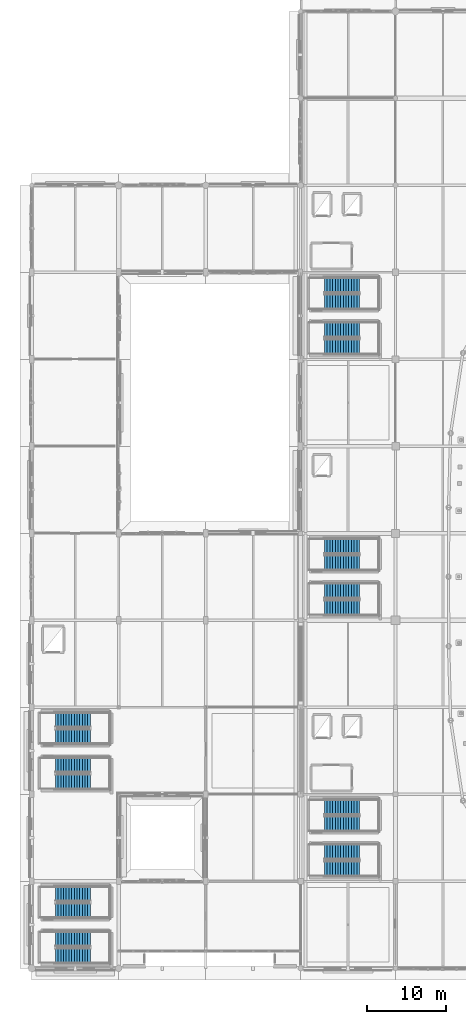
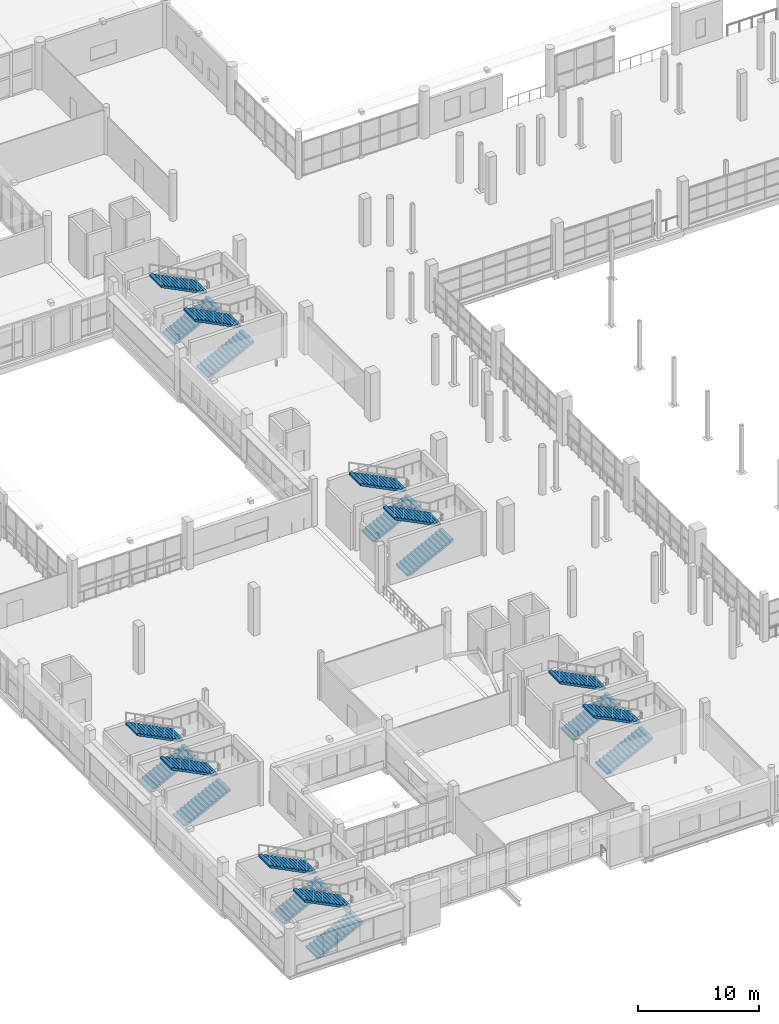
# One storey, part 102 of 143: 20 stair flights, 10 elements without a shape of their own.
"""IFC4 building model written with IfcOpenShell, lengths in metres."""

from ifc_helpers import new_model, si_unit, direction, frame, origin, place, context, subcontext, project, spatial, polyline, outline, extrude, material, layer, layer_set, type_object, element, aggregate, save


model = new_model("IFC4")

# Units and contexts
model_context = context("Model", 3, precision=1e-05, world=origin(), true_north=direction((0.0, 1.0)))
body_context = subcontext(model_context, "Body", "Model", "MODEL_VIEW")
ifc_project = project(units=[si_unit("LENGTHUNIT", "METRE"), si_unit("AREAUNIT", "SQUARE_METRE"), si_unit("VOLUMEUNIT", "CUBIC_METRE"), si_unit("PLANEANGLEUNIT", "RADIAN"), si_unit("MASSUNIT", "GRAM", prefix="KILO")], contexts=[model_context])

# Site, building, storey
site_placement = place(None, origin())
site = spatial("IfcSite", under=ifc_project, at=site_placement, CompositionType="ELEMENT")
building_placement = place(site_placement, origin())
building = spatial("IfcBuilding", under=site, at=building_placement, Name="Luwafu Chhajja Arena", CompositionType="ELEMENT")
storey_placement = place(building_placement, frame((0.0, 0.0, 5.39990234375)))
storey = spatial("IfcBuildingStorey", under=building, at=storey_placement, Name="L01", CompositionType="ELEMENT", Elevation=5.39990234375)

# Stair, stair flights
ifc_material = material(Name="Concrete C35/45", Category="concrete")
stair_type_1 = type_object("IfcStairType", Name="Wing Protected Dog-Leg Stair 1900", PredefinedType="HALF_TURN_STAIR", material=ifc_material)
stair_1_placement = place(storey_placement, origin())
stair_1 = element("IfcStair", 1, at=stair_1_placement, inside=storey, type_object=stair_type_1, Name="L01 Protected Escape Stair ST-13", PredefinedType="HALF_TURN_STAIR")
ifc_layer_1 = layer(ifc_material, 0.1650390625, Name="Concrete C35/45")
ifc_layer_set_1 = layer_set([ifc_layer_1], Name="Concrete C35/45")
stair_flight_type_1 = type_object("IfcStairFlightType", Name="RC Escape Stair Flight 1900", PredefinedType="STRAIGHT", material=ifc_layer_set_1)
stair_flight_1_placement = place(storey_placement, frame((3.0, 23.60009765625, 0.0), z_axis=(0.0, 0.0, 1.0), x_axis=(1.0, 0.0, 0.0)))
stair_flight_1 = element("IfcStairFlight", 2, at=stair_flight_1_placement, type_object=stair_flight_type_1, Name="ST-13 flight 1", NumberOfRisers=14, NumberOfTreads=13, PredefinedType="STRAIGHT", RiserHeight=0.171428571, TreadLength=0.34, context=body_context, shape_type="SweptSolid", body=[
    extrude(outline(polyline([(0.0, 0.0), (0.0, 0.17138671875), (0.340087890625, 0.17138671875), (0.340087890625, 0.3427734375), (0.679931640625, 0.3427734375), (0.679931640625, 0.514404296875), (1.02001953125, 0.514404296875), (1.02001953125, 0.685791015625), (1.360107421875, 0.685791015625), (1.360107421875, 0.857177734375), (1.699951171875, 0.857177734375), (1.699951171875, 1.028564453125), (2.0400390625, 1.028564453125), (2.0400390625, 1.199951171875), (2.3798828125, 1.199951171875), (2.3798828125, 1.371337890625), (2.719970703125, 1.371337890625), (2.719970703125, 1.54296875), (3.06005859375, 1.54296875), (3.06005859375, 1.71435546875), (3.39990234375, 1.71435546875), (3.39990234375, 1.8857421875), (3.739990234375, 1.8857421875), (3.739990234375, 2.05712890625), (4.080078125, 2.05712890625), (4.080078125, 2.228515625), (4.419921875, 2.228515625), (4.419921875, 2.39990234375), (4.419921875, 2.038330078125), (0.37744140625, 0.0), (0.0, 0.0)])), frame((0.0, 0.949951171875, 0.0), z_axis=(0.0, -1.0, 0.0), x_axis=(1.0, 0.0, 0.0)), (0.0, 0.0, 1.0), 1.89990234375),
])
stair_flight_2_placement = place(storey_placement, frame((7.419921875, 25.699951171875, 2.400146484375), z_axis=(0.0, 0.0, 1.0), x_axis=(-1.0, 0.0, 0.0)))
stair_flight_2 = element("IfcStairFlight", 3, at=stair_flight_2_placement, type_object=stair_flight_type_1, Name="ST-13 flight 2", NumberOfRisers=14, NumberOfTreads=13, PredefinedType="STRAIGHT", RiserHeight=0.171428571, TreadLength=0.34, context=body_context, shape_type="SweptSolid", body=[
    extrude(outline(polyline([(0.0, 0.0), (0.0, 0.17138671875), (0.340087890625, 0.17138671875), (0.340087890625, 0.3427734375), (0.679931640625, 0.3427734375), (0.679931640625, 0.514404296875), (1.02001953125, 0.514404296875), (1.02001953125, 0.685791015625), (1.360107421875, 0.685791015625), (1.360107421875, 0.857177734375), (1.699951171875, 0.857177734375), (1.699951171875, 1.028564453125), (2.0400390625, 1.028564453125), (2.0400390625, 1.199951171875), (2.3798828125, 1.199951171875), (2.3798828125, 1.371337890625), (2.719970703125, 1.371337890625), (2.719970703125, 1.54296875), (3.06005859375, 1.54296875), (3.06005859375, 1.71435546875), (3.39990234375, 1.71435546875), (3.39990234375, 1.8857421875), (3.739990234375, 1.8857421875), (3.739990234375, 2.05712890625), (4.080078125, 2.05712890625), (4.080078125, 2.228515625), (4.419921875, 2.228515625), (4.419921875, 2.39990234375), (4.419921875, 2.038330078125), (0.37744140625, 0.0), (0.0, 0.0)])), frame((0.0, 0.949951171875, 0.0), z_axis=(0.0, -1.0, 0.0), x_axis=(1.0, 0.0, 0.0)), (0.0, 0.0, 1.0), 1.89990234375),
])
aggregate(stair_1, [stair_flight_1, stair_flight_2])

stair_2_placement = place(storey_placement, origin())
stair_2 = element("IfcStair", 4, at=stair_2_placement, inside=storey, type_object=stair_type_1, Name="L01 Protected Escape Stair ST-14", PredefinedType="HALF_TURN_STAIR")
stair_flight_3_placement = place(storey_placement, frame((3.0, 29.300048828125, 0.0), z_axis=(0.0, 0.0, 1.0), x_axis=(1.0, 0.0, 0.0)))
stair_flight_3 = element("IfcStairFlight", 5, at=stair_flight_3_placement, type_object=stair_flight_type_1, Name="ST-14 flight 1", NumberOfRisers=14, NumberOfTreads=13, PredefinedType="STRAIGHT", RiserHeight=0.171428571, TreadLength=0.34, context=body_context, shape_type="SweptSolid", body=[
    extrude(outline(polyline([(0.0, 0.0), (0.0, 0.17138671875), (0.340087890625, 0.17138671875), (0.340087890625, 0.3427734375), (0.679931640625, 0.3427734375), (0.679931640625, 0.514404296875), (1.02001953125, 0.514404296875), (1.02001953125, 0.685791015625), (1.360107421875, 0.685791015625), (1.360107421875, 0.857177734375), (1.699951171875, 0.857177734375), (1.699951171875, 1.028564453125), (2.0400390625, 1.028564453125), (2.0400390625, 1.199951171875), (2.3798828125, 1.199951171875), (2.3798828125, 1.371337890625), (2.719970703125, 1.371337890625), (2.719970703125, 1.54296875), (3.06005859375, 1.54296875), (3.06005859375, 1.71435546875), (3.39990234375, 1.71435546875), (3.39990234375, 1.8857421875), (3.739990234375, 1.8857421875), (3.739990234375, 2.05712890625), (4.080078125, 2.05712890625), (4.080078125, 2.228515625), (4.419921875, 2.228515625), (4.419921875, 2.39990234375), (4.419921875, 2.038330078125), (0.37744140625, 0.0), (0.0, 0.0)])), frame((0.0, 0.949951171875, 0.0), z_axis=(0.0, -1.0, 0.0), x_axis=(1.0, 0.0, 0.0)), (0.0, 0.0, 1.0), 1.89990234375),
])
stair_flight_4_placement = place(storey_placement, frame((7.419921875, 31.39990234375, 2.400146484375), z_axis=(0.0, 0.0, 1.0), x_axis=(-1.0, 0.0, 0.0)))
stair_flight_4 = element("IfcStairFlight", 6, at=stair_flight_4_placement, type_object=stair_flight_type_1, Name="ST-14 flight 2", NumberOfRisers=14, NumberOfTreads=13, PredefinedType="STRAIGHT", RiserHeight=0.171428571, TreadLength=0.34, context=body_context, shape_type="SweptSolid", body=[
    extrude(outline(polyline([(0.0, 0.0), (0.0, 0.17138671875), (0.340087890625, 0.17138671875), (0.340087890625, 0.3427734375), (0.679931640625, 0.3427734375), (0.679931640625, 0.514404296875), (1.02001953125, 0.514404296875), (1.02001953125, 0.685791015625), (1.360107421875, 0.685791015625), (1.360107421875, 0.857177734375), (1.699951171875, 0.857177734375), (1.699951171875, 1.028564453125), (2.0400390625, 1.028564453125), (2.0400390625, 1.199951171875), (2.3798828125, 1.199951171875), (2.3798828125, 1.371337890625), (2.719970703125, 1.371337890625), (2.719970703125, 1.54296875), (3.06005859375, 1.54296875), (3.06005859375, 1.71435546875), (3.39990234375, 1.71435546875), (3.39990234375, 1.8857421875), (3.739990234375, 1.8857421875), (3.739990234375, 2.05712890625), (4.080078125, 2.05712890625), (4.080078125, 2.228515625), (4.419921875, 2.228515625), (4.419921875, 2.39990234375), (4.419921875, 2.038330078125), (0.37744140625, 0.0), (0.0, 0.0)])), frame((0.0, 0.949951171875, 0.0), z_axis=(0.0, -1.0, 0.0), x_axis=(1.0, 0.0, 0.0)), (0.0, 0.0, 1.0), 1.89990234375),
])
aggregate(stair_2, [stair_flight_3, stair_flight_4])

stair_3_placement = place(storey_placement, origin())
stair_3 = element("IfcStair", 7, at=stair_3_placement, inside=storey, type_object=stair_type_1, Name="L01 Protected Escape Stair ST-17", PredefinedType="HALF_TURN_STAIR")
stair_flight_5_placement = place(storey_placement, frame((3.0, 1.60009765625, 0.0), z_axis=(0.0, 0.0, 1.0), x_axis=(1.0, 0.0, 0.0)))
stair_flight_5 = element("IfcStairFlight", 8, at=stair_flight_5_placement, type_object=stair_flight_type_1, Name="ST-17 flight 1", NumberOfRisers=14, NumberOfTreads=13, PredefinedType="STRAIGHT", RiserHeight=0.171428571, TreadLength=0.34, context=body_context, shape_type="SweptSolid", body=[
    extrude(outline(polyline([(0.0, 0.0), (0.0, 0.17138671875), (0.340087890625, 0.17138671875), (0.340087890625, 0.3427734375), (0.679931640625, 0.3427734375), (0.679931640625, 0.514404296875), (1.02001953125, 0.514404296875), (1.02001953125, 0.685791015625), (1.360107421875, 0.685791015625), (1.360107421875, 0.857177734375), (1.699951171875, 0.857177734375), (1.699951171875, 1.028564453125), (2.0400390625, 1.028564453125), (2.0400390625, 1.199951171875), (2.3798828125, 1.199951171875), (2.3798828125, 1.371337890625), (2.719970703125, 1.371337890625), (2.719970703125, 1.54296875), (3.06005859375, 1.54296875), (3.06005859375, 1.71435546875), (3.39990234375, 1.71435546875), (3.39990234375, 1.8857421875), (3.739990234375, 1.8857421875), (3.739990234375, 2.05712890625), (4.080078125, 2.05712890625), (4.080078125, 2.228515625), (4.419921875, 2.228515625), (4.419921875, 2.39990234375), (4.419921875, 2.038330078125), (0.37744140625, 0.0), (0.0, 0.0)])), frame((0.0, 0.949951171875, 0.0), z_axis=(0.0, -1.0, 0.0), x_axis=(1.0, 0.0, 0.0)), (0.0, 0.0, 1.0), 1.89990234375),
])
stair_flight_6_placement = place(storey_placement, frame((7.419921875, 3.699951171875, 2.400146484375), z_axis=(0.0, 0.0, 1.0), x_axis=(-1.0, 0.0, 0.0)))
stair_flight_6 = element("IfcStairFlight", 9, at=stair_flight_6_placement, type_object=stair_flight_type_1, Name="ST-17 flight 2", NumberOfRisers=14, NumberOfTreads=13, PredefinedType="STRAIGHT", RiserHeight=0.171428571, TreadLength=0.34, context=body_context, shape_type="SweptSolid", body=[
    extrude(outline(polyline([(0.0, 0.0), (0.0, 0.17138671875), (0.340087890625, 0.17138671875), (0.340087890625, 0.3427734375), (0.679931640625, 0.3427734375), (0.679931640625, 0.514404296875), (1.02001953125, 0.514404296875), (1.02001953125, 0.685791015625), (1.360107421875, 0.685791015625), (1.360107421875, 0.857177734375), (1.699951171875, 0.857177734375), (1.699951171875, 1.028564453125), (2.0400390625, 1.028564453125), (2.0400390625, 1.199951171875), (2.3798828125, 1.199951171875), (2.3798828125, 1.371337890625), (2.719970703125, 1.371337890625), (2.719970703125, 1.54296875), (3.06005859375, 1.54296875), (3.06005859375, 1.71435546875), (3.39990234375, 1.71435546875), (3.39990234375, 1.8857421875), (3.739990234375, 1.8857421875), (3.739990234375, 2.05712890625), (4.080078125, 2.05712890625), (4.080078125, 2.228515625), (4.419921875, 2.228515625), (4.419921875, 2.39990234375), (4.419921875, 2.038330078125), (0.37744140625, 0.0), (0.0, 0.0)])), frame((0.0, 0.949951171875, 0.0), z_axis=(0.0, -1.0, 0.0), x_axis=(1.0, 0.0, 0.0)), (0.0, 0.0, 1.0), 1.89990234375),
])
aggregate(stair_3, [stair_flight_5, stair_flight_6])

stair_4_placement = place(storey_placement, origin())
stair_4 = element("IfcStair", 10, at=stair_4_placement, inside=storey, type_object=stair_type_1, Name="L01 Protected Escape Stair ST-18", PredefinedType="HALF_TURN_STAIR")
stair_flight_7_placement = place(storey_placement, frame((3.0, 7.300048828125, 0.0), z_axis=(0.0, 0.0, 1.0), x_axis=(1.0, 0.0, 0.0)))
stair_flight_7 = element("IfcStairFlight", 11, at=stair_flight_7_placement, type_object=stair_flight_type_1, Name="ST-18 flight 1", NumberOfRisers=14, NumberOfTreads=13, PredefinedType="STRAIGHT", RiserHeight=0.171428571, TreadLength=0.34, context=body_context, shape_type="SweptSolid", body=[
    extrude(outline(polyline([(0.0, 0.0), (0.0, 0.17138671875), (0.340087890625, 0.17138671875), (0.340087890625, 0.3427734375), (0.679931640625, 0.3427734375), (0.679931640625, 0.514404296875), (1.02001953125, 0.514404296875), (1.02001953125, 0.685791015625), (1.360107421875, 0.685791015625), (1.360107421875, 0.857177734375), (1.699951171875, 0.857177734375), (1.699951171875, 1.028564453125), (2.0400390625, 1.028564453125), (2.0400390625, 1.199951171875), (2.3798828125, 1.199951171875), (2.3798828125, 1.371337890625), (2.719970703125, 1.371337890625), (2.719970703125, 1.54296875), (3.06005859375, 1.54296875), (3.06005859375, 1.71435546875), (3.39990234375, 1.71435546875), (3.39990234375, 1.8857421875), (3.739990234375, 1.8857421875), (3.739990234375, 2.05712890625), (4.080078125, 2.05712890625), (4.080078125, 2.228515625), (4.419921875, 2.228515625), (4.419921875, 2.39990234375), (4.419921875, 2.038330078125), (0.37744140625, 0.0), (0.0, 0.0)])), frame((0.0, 0.949951171875, 0.0), z_axis=(0.0, -1.0, 0.0), x_axis=(1.0, 0.0, 0.0)), (0.0, 0.0, 1.0), 1.89990234375),
])
stair_flight_8_placement = place(storey_placement, frame((7.419921875, 9.39990234375, 2.400146484375), z_axis=(0.0, 0.0, 1.0), x_axis=(-1.0, 0.0, 0.0)))
stair_flight_8 = element("IfcStairFlight", 12, at=stair_flight_8_placement, type_object=stair_flight_type_1, Name="ST-18 flight 2", NumberOfRisers=14, NumberOfTreads=13, PredefinedType="STRAIGHT", RiserHeight=0.171428571, TreadLength=0.34, context=body_context, shape_type="SweptSolid", body=[
    extrude(outline(polyline([(0.0, 0.0), (0.0, 0.17138671875), (0.340087890625, 0.17138671875), (0.340087890625, 0.3427734375), (0.679931640625, 0.3427734375), (0.679931640625, 0.514404296875), (1.02001953125, 0.514404296875), (1.02001953125, 0.685791015625), (1.360107421875, 0.685791015625), (1.360107421875, 0.857177734375), (1.699951171875, 0.857177734375), (1.699951171875, 1.028564453125), (2.0400390625, 1.028564453125), (2.0400390625, 1.199951171875), (2.3798828125, 1.199951171875), (2.3798828125, 1.371337890625), (2.719970703125, 1.371337890625), (2.719970703125, 1.54296875), (3.06005859375, 1.54296875), (3.06005859375, 1.71435546875), (3.39990234375, 1.71435546875), (3.39990234375, 1.8857421875), (3.739990234375, 1.8857421875), (3.739990234375, 2.05712890625), (4.080078125, 2.05712890625), (4.080078125, 2.228515625), (4.419921875, 2.228515625), (4.419921875, 2.39990234375), (4.419921875, 2.038330078125), (0.37744140625, 0.0), (0.0, 0.0)])), frame((0.0, 0.949951171875, 0.0), z_axis=(0.0, -1.0, 0.0), x_axis=(1.0, 0.0, 0.0)), (0.0, 0.0, 1.0), 1.89990234375),
])
aggregate(stair_4, [stair_flight_7, stair_flight_8])

stair_type_2 = type_object("IfcStairType", Name="Quadrant Protected Dog-Leg Stair 1920", PredefinedType="HALF_TURN_STAIR", material=ifc_material)
stair_5_placement = place(storey_placement, origin())
stair_5 = element("IfcStair", 13, at=stair_5_placement, inside=storey, type_object=stair_type_2, Name="L01 Protected Escape Stair ST-01", PredefinedType="HALF_TURN_STAIR")
ifc_layer_2 = layer(ifc_material, 0.169921875, Name="Concrete C35/45")
ifc_layer_set_2 = layer_set([ifc_layer_2], Name="Concrete C35/45")
stair_flight_type_2 = type_object("IfcStairFlightType", Name="RC Escape Stair Flight 1920", PredefinedType="STRAIGHT", material=ifc_layer_set_2)
stair_flight_9_placement = place(storey_placement, frame((37.02001953125, 12.610107421875, 0.0), z_axis=(0.0, 0.0, 1.0), x_axis=(1.0, 0.0, 0.0)))
stair_flight_9 = element("IfcStairFlight", 14, at=stair_flight_9_placement, type_object=stair_flight_type_2, Name="ST-01 flight 1", NumberOfRisers=14, NumberOfTreads=13, PredefinedType="STRAIGHT", RiserHeight=0.171428571, TreadLength=0.34, context=body_context, shape_type="SweptSolid", body=[
    extrude(outline(polyline([(0.0, 0.0), (0.0, 0.17138671875), (0.340087890625, 0.17138671875), (0.340087890625, 0.3427734375), (0.679931640625, 0.3427734375), (0.679931640625, 0.514404296875), (1.02001953125, 0.514404296875), (1.02001953125, 0.685791015625), (1.360107421875, 0.685791015625), (1.360107421875, 0.857177734375), (1.699951171875, 0.857177734375), (1.699951171875, 1.028564453125), (2.0400390625, 1.028564453125), (2.0400390625, 1.199951171875), (2.3798828125, 1.199951171875), (2.3798828125, 1.371337890625), (2.719970703125, 1.371337890625), (2.719970703125, 1.54296875), (3.06005859375, 1.54296875), (3.06005859375, 1.71435546875), (3.39990234375, 1.71435546875), (3.39990234375, 1.8857421875), (3.739990234375, 1.8857421875), (3.739990234375, 2.05712890625), (4.080078125, 2.05712890625), (4.080078125, 2.228515625), (4.419921875, 2.228515625), (4.419921875, 2.39990234375), (4.419921875, 2.038330078125), (0.37744140625, 0.0), (0.0, 0.0)])), frame((0.0, 0.9599609375, 0.0), z_axis=(0.0, -1.0, 0.0), x_axis=(1.0, 0.0, 0.0)), (0.0, 0.0, 1.0), 1.919921875),
])
stair_flight_10_placement = place(storey_placement, frame((41.43994140625, 14.72998046875, 2.400146484375), z_axis=(0.0, 0.0, 1.0), x_axis=(-1.0, 0.0, 0.0)))
stair_flight_10 = element("IfcStairFlight", 15, at=stair_flight_10_placement, type_object=stair_flight_type_2, Name="ST-01 flight 2", NumberOfRisers=14, NumberOfTreads=13, PredefinedType="STRAIGHT", RiserHeight=0.171428571, TreadLength=0.34, context=body_context, shape_type="SweptSolid", body=[
    extrude(outline(polyline([(0.0, 0.0), (0.0, 0.17138671875), (0.340087890625, 0.17138671875), (0.340087890625, 0.3427734375), (0.679931640625, 0.3427734375), (0.679931640625, 0.514404296875), (1.02001953125, 0.514404296875), (1.02001953125, 0.685791015625), (1.360107421875, 0.685791015625), (1.360107421875, 0.857177734375), (1.699951171875, 0.857177734375), (1.699951171875, 1.028564453125), (2.0400390625, 1.028564453125), (2.0400390625, 1.199951171875), (2.3798828125, 1.199951171875), (2.3798828125, 1.371337890625), (2.719970703125, 1.371337890625), (2.719970703125, 1.54296875), (3.06005859375, 1.54296875), (3.06005859375, 1.71435546875), (3.39990234375, 1.71435546875), (3.39990234375, 1.8857421875), (3.739990234375, 1.8857421875), (3.739990234375, 2.05712890625), (4.080078125, 2.05712890625), (4.080078125, 2.228515625), (4.419921875, 2.228515625), (4.419921875, 2.39990234375), (4.419921875, 2.038330078125), (0.37744140625, 0.0), (0.0, 0.0)])), frame((0.0, 0.9599609375, 0.0), z_axis=(0.0, -1.0, 0.0), x_axis=(1.0, 0.0, 0.0)), (0.0, 0.0, 1.0), 1.919921875),
])
aggregate(stair_5, [stair_flight_9, stair_flight_10])

stair_6_placement = place(storey_placement, origin())
stair_6 = element("IfcStair", 16, at=stair_6_placement, inside=storey, type_object=stair_type_2, Name="L01 Protected Escape Stair ST-02", PredefinedType="HALF_TURN_STAIR")
stair_flight_11_placement = place(storey_placement, frame((37.02001953125, 18.27001953125, 0.0), z_axis=(0.0, 0.0, 1.0), x_axis=(1.0, 0.0, 0.0)))
stair_flight_11 = element("IfcStairFlight", 17, at=stair_flight_11_placement, type_object=stair_flight_type_2, Name="ST-02 flight 1", NumberOfRisers=14, NumberOfTreads=13, PredefinedType="STRAIGHT", RiserHeight=0.171428571, TreadLength=0.34, context=body_context, shape_type="SweptSolid", body=[
    extrude(outline(polyline([(0.0, 0.0), (0.0, 0.17138671875), (0.340087890625, 0.17138671875), (0.340087890625, 0.3427734375), (0.679931640625, 0.3427734375), (0.679931640625, 0.514404296875), (1.02001953125, 0.514404296875), (1.02001953125, 0.685791015625), (1.360107421875, 0.685791015625), (1.360107421875, 0.857177734375), (1.699951171875, 0.857177734375), (1.699951171875, 1.028564453125), (2.0400390625, 1.028564453125), (2.0400390625, 1.199951171875), (2.3798828125, 1.199951171875), (2.3798828125, 1.371337890625), (2.719970703125, 1.371337890625), (2.719970703125, 1.54296875), (3.06005859375, 1.54296875), (3.06005859375, 1.71435546875), (3.39990234375, 1.71435546875), (3.39990234375, 1.8857421875), (3.739990234375, 1.8857421875), (3.739990234375, 2.05712890625), (4.080078125, 2.05712890625), (4.080078125, 2.228515625), (4.419921875, 2.228515625), (4.419921875, 2.39990234375), (4.419921875, 2.038330078125), (0.37744140625, 0.0), (0.0, 0.0)])), frame((0.0, 0.9599609375, 0.0), z_axis=(0.0, -1.0, 0.0), x_axis=(1.0, 0.0, 0.0)), (0.0, 0.0, 1.0), 1.919921875),
])
stair_flight_12_placement = place(storey_placement, frame((41.43994140625, 20.389892578125, 2.400146484375), z_axis=(0.0, 0.0, 1.0), x_axis=(-1.0, 0.0, 0.0)))
stair_flight_12 = element("IfcStairFlight", 18, at=stair_flight_12_placement, type_object=stair_flight_type_2, Name="ST-02 flight 2", NumberOfRisers=14, NumberOfTreads=13, PredefinedType="STRAIGHT", RiserHeight=0.171428571, TreadLength=0.34, context=body_context, shape_type="SweptSolid", body=[
    extrude(outline(polyline([(0.0, 0.0), (0.0, 0.17138671875), (0.340087890625, 0.17138671875), (0.340087890625, 0.3427734375), (0.679931640625, 0.3427734375), (0.679931640625, 0.514404296875), (1.02001953125, 0.514404296875), (1.02001953125, 0.685791015625), (1.360107421875, 0.685791015625), (1.360107421875, 0.857177734375), (1.699951171875, 0.857177734375), (1.699951171875, 1.028564453125), (2.0400390625, 1.028564453125), (2.0400390625, 1.199951171875), (2.3798828125, 1.199951171875), (2.3798828125, 1.371337890625), (2.719970703125, 1.371337890625), (2.719970703125, 1.54296875), (3.06005859375, 1.54296875), (3.06005859375, 1.71435546875), (3.39990234375, 1.71435546875), (3.39990234375, 1.8857421875), (3.739990234375, 1.8857421875), (3.739990234375, 2.05712890625), (4.080078125, 2.05712890625), (4.080078125, 2.228515625), (4.419921875, 2.228515625), (4.419921875, 2.39990234375), (4.419921875, 2.038330078125), (0.37744140625, 0.0), (0.0, 0.0)])), frame((0.0, 0.9599609375, 0.0), z_axis=(0.0, -1.0, 0.0), x_axis=(1.0, 0.0, 0.0)), (0.0, 0.0, 1.0), 1.919921875),
])
aggregate(stair_6, [stair_flight_11, stair_flight_12])

stair_7_placement = place(storey_placement, origin())
stair_7 = element("IfcStair", 19, at=stair_7_placement, inside=storey, type_object=stair_type_2, Name="L01 Protected Escape Stair ST-05", PredefinedType="HALF_TURN_STAIR")
stair_flight_13_placement = place(storey_placement, frame((37.02001953125, 78.610107421875, 0.0), z_axis=(0.0, 0.0, 1.0), x_axis=(1.0, 0.0, 0.0)))
stair_flight_13 = element("IfcStairFlight", 20, at=stair_flight_13_placement, type_object=stair_flight_type_2, Name="ST-05 flight 1", NumberOfRisers=14, NumberOfTreads=13, PredefinedType="STRAIGHT", RiserHeight=0.171428571, TreadLength=0.34, context=body_context, shape_type="SweptSolid", body=[
    extrude(outline(polyline([(0.0, 0.0), (0.0, 0.17138671875), (0.340087890625, 0.17138671875), (0.340087890625, 0.3427734375), (0.679931640625, 0.3427734375), (0.679931640625, 0.514404296875), (1.02001953125, 0.514404296875), (1.02001953125, 0.685791015625), (1.360107421875, 0.685791015625), (1.360107421875, 0.857177734375), (1.699951171875, 0.857177734375), (1.699951171875, 1.028564453125), (2.0400390625, 1.028564453125), (2.0400390625, 1.199951171875), (2.3798828125, 1.199951171875), (2.3798828125, 1.371337890625), (2.719970703125, 1.371337890625), (2.719970703125, 1.54296875), (3.06005859375, 1.54296875), (3.06005859375, 1.71435546875), (3.39990234375, 1.71435546875), (3.39990234375, 1.8857421875), (3.739990234375, 1.8857421875), (3.739990234375, 2.05712890625), (4.080078125, 2.05712890625), (4.080078125, 2.228515625), (4.419921875, 2.228515625), (4.419921875, 2.39990234375), (4.419921875, 2.038330078125), (0.37744140625, 0.0), (0.0, 0.0)])), frame((0.0, 0.9599609375, 0.0), z_axis=(0.0, -1.0, 0.0), x_axis=(1.0, 0.0, 0.0)), (0.0, 0.0, 1.0), 1.919921875),
])
stair_flight_14_placement = place(storey_placement, frame((41.43994140625, 80.72998046875, 2.400146484375), z_axis=(0.0, 0.0, 1.0), x_axis=(-1.0, 0.0, 0.0)))
stair_flight_14 = element("IfcStairFlight", 21, at=stair_flight_14_placement, type_object=stair_flight_type_2, Name="ST-05 flight 2", NumberOfRisers=14, NumberOfTreads=13, PredefinedType="STRAIGHT", RiserHeight=0.171428571, TreadLength=0.34, context=body_context, shape_type="SweptSolid", body=[
    extrude(outline(polyline([(0.0, 0.0), (0.0, 0.17138671875), (0.340087890625, 0.17138671875), (0.340087890625, 0.3427734375), (0.679931640625, 0.3427734375), (0.679931640625, 0.514404296875), (1.02001953125, 0.514404296875), (1.02001953125, 0.685791015625), (1.360107421875, 0.685791015625), (1.360107421875, 0.857177734375), (1.699951171875, 0.857177734375), (1.699951171875, 1.028564453125), (2.0400390625, 1.028564453125), (2.0400390625, 1.199951171875), (2.3798828125, 1.199951171875), (2.3798828125, 1.371337890625), (2.719970703125, 1.371337890625), (2.719970703125, 1.54296875), (3.06005859375, 1.54296875), (3.06005859375, 1.71435546875), (3.39990234375, 1.71435546875), (3.39990234375, 1.8857421875), (3.739990234375, 1.8857421875), (3.739990234375, 2.05712890625), (4.080078125, 2.05712890625), (4.080078125, 2.228515625), (4.419921875, 2.228515625), (4.419921875, 2.39990234375), (4.419921875, 2.038330078125), (0.37744140625, 0.0), (0.0, 0.0)])), frame((0.0, 0.9599609375, 0.0), z_axis=(0.0, -1.0, 0.0), x_axis=(1.0, 0.0, 0.0)), (0.0, 0.0, 1.0), 1.919921875),
])
aggregate(stair_7, [stair_flight_13, stair_flight_14])

stair_8_placement = place(storey_placement, origin())
stair_8 = element("IfcStair", 22, at=stair_8_placement, inside=storey, type_object=stair_type_2, Name="L01 Protected Escape Stair ST-06", PredefinedType="HALF_TURN_STAIR")
stair_flight_15_placement = place(storey_placement, frame((37.02001953125, 84.27001953125, 0.0), z_axis=(0.0, 0.0, 1.0), x_axis=(1.0, 0.0, 0.0)))
stair_flight_15 = element("IfcStairFlight", 23, at=stair_flight_15_placement, type_object=stair_flight_type_2, Name="ST-06 flight 1", NumberOfRisers=14, NumberOfTreads=13, PredefinedType="STRAIGHT", RiserHeight=0.171428571, TreadLength=0.34, context=body_context, shape_type="SweptSolid", body=[
    extrude(outline(polyline([(0.0, 0.0), (0.0, 0.17138671875), (0.340087890625, 0.17138671875), (0.340087890625, 0.3427734375), (0.679931640625, 0.3427734375), (0.679931640625, 0.514404296875), (1.02001953125, 0.514404296875), (1.02001953125, 0.685791015625), (1.360107421875, 0.685791015625), (1.360107421875, 0.857177734375), (1.699951171875, 0.857177734375), (1.699951171875, 1.028564453125), (2.0400390625, 1.028564453125), (2.0400390625, 1.199951171875), (2.3798828125, 1.199951171875), (2.3798828125, 1.371337890625), (2.719970703125, 1.371337890625), (2.719970703125, 1.54296875), (3.06005859375, 1.54296875), (3.06005859375, 1.71435546875), (3.39990234375, 1.71435546875), (3.39990234375, 1.8857421875), (3.739990234375, 1.8857421875), (3.739990234375, 2.05712890625), (4.080078125, 2.05712890625), (4.080078125, 2.228515625), (4.419921875, 2.228515625), (4.419921875, 2.39990234375), (4.419921875, 2.038330078125), (0.37744140625, 0.0), (0.0, 0.0)])), frame((0.0, 0.9599609375, 0.0), z_axis=(0.0, -1.0, 0.0), x_axis=(1.0, 0.0, 0.0)), (0.0, 0.0, 1.0), 1.919921875),
])
stair_flight_16_placement = place(storey_placement, frame((41.43994140625, 86.389892578125, 2.400146484375), z_axis=(0.0, 0.0, 1.0), x_axis=(-1.0, 0.0, 0.0)))
stair_flight_16 = element("IfcStairFlight", 24, at=stair_flight_16_placement, type_object=stair_flight_type_2, Name="ST-06 flight 2", NumberOfRisers=14, NumberOfTreads=13, PredefinedType="STRAIGHT", RiserHeight=0.171428571, TreadLength=0.34, context=body_context, shape_type="SweptSolid", body=[
    extrude(outline(polyline([(0.0, 0.0), (0.0, 0.17138671875), (0.340087890625, 0.17138671875), (0.340087890625, 0.3427734375), (0.679931640625, 0.3427734375), (0.679931640625, 0.514404296875), (1.02001953125, 0.514404296875), (1.02001953125, 0.685791015625), (1.360107421875, 0.685791015625), (1.360107421875, 0.857177734375), (1.699951171875, 0.857177734375), (1.699951171875, 1.028564453125), (2.0400390625, 1.028564453125), (2.0400390625, 1.199951171875), (2.3798828125, 1.199951171875), (2.3798828125, 1.371337890625), (2.719970703125, 1.371337890625), (2.719970703125, 1.54296875), (3.06005859375, 1.54296875), (3.06005859375, 1.71435546875), (3.39990234375, 1.71435546875), (3.39990234375, 1.8857421875), (3.739990234375, 1.8857421875), (3.739990234375, 2.05712890625), (4.080078125, 2.05712890625), (4.080078125, 2.228515625), (4.419921875, 2.228515625), (4.419921875, 2.39990234375), (4.419921875, 2.038330078125), (0.37744140625, 0.0), (0.0, 0.0)])), frame((0.0, 0.9599609375, 0.0), z_axis=(0.0, -1.0, 0.0), x_axis=(1.0, 0.0, 0.0)), (0.0, 0.0, 1.0), 1.919921875),
])
aggregate(stair_8, [stair_flight_15, stair_flight_16])

stair_9_placement = place(storey_placement, origin())
stair_9 = element("IfcStair", 25, at=stair_9_placement, inside=storey, type_object=stair_type_2, Name="L01 Protected Escape Stair ST-09", PredefinedType="HALF_TURN_STAIR")
stair_flight_17_placement = place(storey_placement, frame((37.02001953125, 45.610107421875, 0.0), z_axis=(0.0, 0.0, 1.0), x_axis=(1.0, 0.0, 0.0)))
stair_flight_17 = element("IfcStairFlight", 26, at=stair_flight_17_placement, type_object=stair_flight_type_2, Name="ST-09 flight 1", NumberOfRisers=14, NumberOfTreads=13, PredefinedType="STRAIGHT", RiserHeight=0.171428571, TreadLength=0.34, context=body_context, shape_type="SweptSolid", body=[
    extrude(outline(polyline([(0.0, 0.0), (0.0, 0.17138671875), (0.340087890625, 0.17138671875), (0.340087890625, 0.3427734375), (0.679931640625, 0.3427734375), (0.679931640625, 0.514404296875), (1.02001953125, 0.514404296875), (1.02001953125, 0.685791015625), (1.360107421875, 0.685791015625), (1.360107421875, 0.857177734375), (1.699951171875, 0.857177734375), (1.699951171875, 1.028564453125), (2.0400390625, 1.028564453125), (2.0400390625, 1.199951171875), (2.3798828125, 1.199951171875), (2.3798828125, 1.371337890625), (2.719970703125, 1.371337890625), (2.719970703125, 1.54296875), (3.06005859375, 1.54296875), (3.06005859375, 1.71435546875), (3.39990234375, 1.71435546875), (3.39990234375, 1.8857421875), (3.739990234375, 1.8857421875), (3.739990234375, 2.05712890625), (4.080078125, 2.05712890625), (4.080078125, 2.228515625), (4.419921875, 2.228515625), (4.419921875, 2.39990234375), (4.419921875, 2.038330078125), (0.37744140625, 0.0), (0.0, 0.0)])), frame((0.0, 0.9599609375, 0.0), z_axis=(0.0, -1.0, 0.0), x_axis=(1.0, 0.0, 0.0)), (0.0, 0.0, 1.0), 1.919921875),
])
stair_flight_18_placement = place(storey_placement, frame((41.43994140625, 47.72998046875, 2.400146484375), z_axis=(0.0, 0.0, 1.0), x_axis=(-1.0, 0.0, 0.0)))
stair_flight_18 = element("IfcStairFlight", 27, at=stair_flight_18_placement, type_object=stair_flight_type_2, Name="ST-09 flight 2", NumberOfRisers=14, NumberOfTreads=13, PredefinedType="STRAIGHT", RiserHeight=0.171428571, TreadLength=0.34, context=body_context, shape_type="SweptSolid", body=[
    extrude(outline(polyline([(0.0, 0.0), (0.0, 0.17138671875), (0.340087890625, 0.17138671875), (0.340087890625, 0.3427734375), (0.679931640625, 0.3427734375), (0.679931640625, 0.514404296875), (1.02001953125, 0.514404296875), (1.02001953125, 0.685791015625), (1.360107421875, 0.685791015625), (1.360107421875, 0.857177734375), (1.699951171875, 0.857177734375), (1.699951171875, 1.028564453125), (2.0400390625, 1.028564453125), (2.0400390625, 1.199951171875), (2.3798828125, 1.199951171875), (2.3798828125, 1.371337890625), (2.719970703125, 1.371337890625), (2.719970703125, 1.54296875), (3.06005859375, 1.54296875), (3.06005859375, 1.71435546875), (3.39990234375, 1.71435546875), (3.39990234375, 1.8857421875), (3.739990234375, 1.8857421875), (3.739990234375, 2.05712890625), (4.080078125, 2.05712890625), (4.080078125, 2.228515625), (4.419921875, 2.228515625), (4.419921875, 2.39990234375), (4.419921875, 2.038330078125), (0.37744140625, 0.0), (0.0, 0.0)])), frame((0.0, 0.9599609375, 0.0), z_axis=(0.0, -1.0, 0.0), x_axis=(1.0, 0.0, 0.0)), (0.0, 0.0, 1.0), 1.919921875),
])
aggregate(stair_9, [stair_flight_17, stair_flight_18])

stair_10_placement = place(storey_placement, origin())
stair_10 = element("IfcStair", 28, at=stair_10_placement, inside=storey, type_object=stair_type_2, Name="L01 Protected Escape Stair ST-10", PredefinedType="HALF_TURN_STAIR")
stair_flight_19_placement = place(storey_placement, frame((37.02001953125, 51.27001953125, 0.0), z_axis=(0.0, 0.0, 1.0), x_axis=(1.0, 0.0, 0.0)))
stair_flight_19 = element("IfcStairFlight", 29, at=stair_flight_19_placement, type_object=stair_flight_type_2, Name="ST-10 flight 1", NumberOfRisers=14, NumberOfTreads=13, PredefinedType="STRAIGHT", RiserHeight=0.171428571, TreadLength=0.34, context=body_context, shape_type="SweptSolid", body=[
    extrude(outline(polyline([(0.0, 0.0), (0.0, 0.17138671875), (0.340087890625, 0.17138671875), (0.340087890625, 0.3427734375), (0.679931640625, 0.3427734375), (0.679931640625, 0.514404296875), (1.02001953125, 0.514404296875), (1.02001953125, 0.685791015625), (1.360107421875, 0.685791015625), (1.360107421875, 0.857177734375), (1.699951171875, 0.857177734375), (1.699951171875, 1.028564453125), (2.0400390625, 1.028564453125), (2.0400390625, 1.199951171875), (2.3798828125, 1.199951171875), (2.3798828125, 1.371337890625), (2.719970703125, 1.371337890625), (2.719970703125, 1.54296875), (3.06005859375, 1.54296875), (3.06005859375, 1.71435546875), (3.39990234375, 1.71435546875), (3.39990234375, 1.8857421875), (3.739990234375, 1.8857421875), (3.739990234375, 2.05712890625), (4.080078125, 2.05712890625), (4.080078125, 2.228515625), (4.419921875, 2.228515625), (4.419921875, 2.39990234375), (4.419921875, 2.038330078125), (0.37744140625, 0.0), (0.0, 0.0)])), frame((0.0, 0.9599609375, 0.0), z_axis=(0.0, -1.0, 0.0), x_axis=(1.0, 0.0, 0.0)), (0.0, 0.0, 1.0), 1.919921875),
])
stair_flight_20_placement = place(storey_placement, frame((41.43994140625, 53.389892578125, 2.400146484375), z_axis=(0.0, 0.0, 1.0), x_axis=(-1.0, 0.0, 0.0)))
stair_flight_20 = element("IfcStairFlight", 30, at=stair_flight_20_placement, type_object=stair_flight_type_2, Name="ST-10 flight 2", NumberOfRisers=14, NumberOfTreads=13, PredefinedType="STRAIGHT", RiserHeight=0.171428571, TreadLength=0.34, context=body_context, shape_type="SweptSolid", body=[
    extrude(outline(polyline([(0.0, 0.0), (0.0, 0.17138671875), (0.340087890625, 0.17138671875), (0.340087890625, 0.3427734375), (0.679931640625, 0.3427734375), (0.679931640625, 0.514404296875), (1.02001953125, 0.514404296875), (1.02001953125, 0.685791015625), (1.360107421875, 0.685791015625), (1.360107421875, 0.857177734375), (1.699951171875, 0.857177734375), (1.699951171875, 1.028564453125), (2.0400390625, 1.028564453125), (2.0400390625, 1.199951171875), (2.3798828125, 1.199951171875), (2.3798828125, 1.371337890625), (2.719970703125, 1.371337890625), (2.719970703125, 1.54296875), (3.06005859375, 1.54296875), (3.06005859375, 1.71435546875), (3.39990234375, 1.71435546875), (3.39990234375, 1.8857421875), (3.739990234375, 1.8857421875), (3.739990234375, 2.05712890625), (4.080078125, 2.05712890625), (4.080078125, 2.228515625), (4.419921875, 2.228515625), (4.419921875, 2.39990234375), (4.419921875, 2.038330078125), (0.37744140625, 0.0), (0.0, 0.0)])), frame((0.0, 0.9599609375, 0.0), z_axis=(0.0, -1.0, 0.0), x_axis=(1.0, 0.0, 0.0)), (0.0, 0.0, 1.0), 1.919921875),
])
aggregate(stair_10, [stair_flight_19, stair_flight_20])

save(model, "model.ifc")
